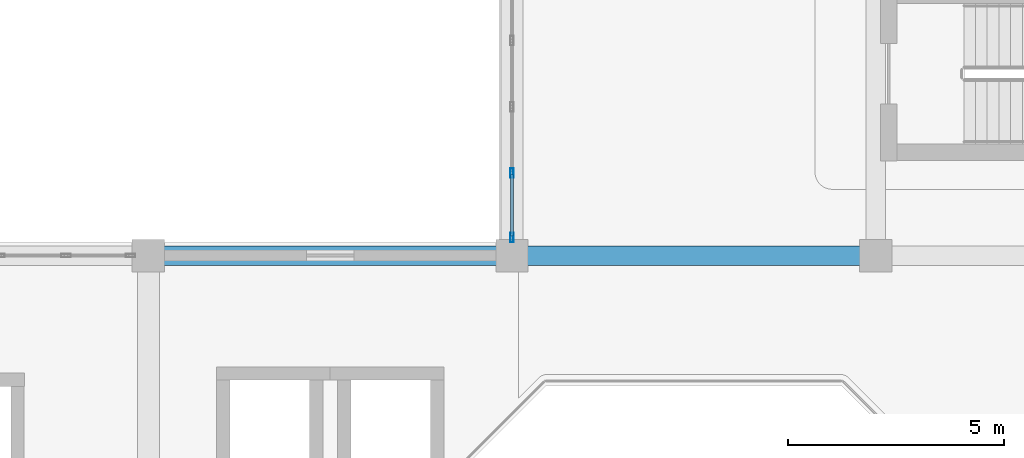
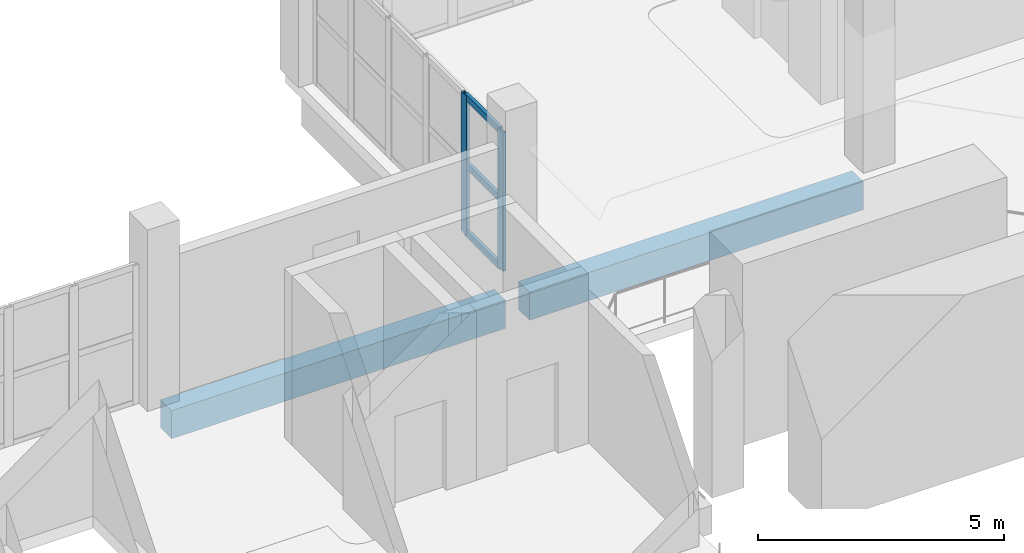
# One storey, part 53 of 114: 5 members, 2 beams, 1 element without a shape of its own.
"""IFC4 building model written with IfcOpenShell, lengths in metres."""

import ifcopenshell
import ifcopenshell.guid

model = None  # the IFC model being written
_history = None  # IfcOwnerHistory: only IFC2X3 demands one
_inside = {}  # id of a spatial element -> (the spatial element, [elements in it])
_under = {}  # id of a project, library or spatial element -> (it, [spatial elements below it])
_declared = {}  # id of a project -> (the project, [libraries it declares])
_typed = {}  # id of a type object -> (the type object, [elements of that type])
_made_of = {}  # id of a material, layer set ... -> (it, [elements and type objects made of it])


def new_model(schema):
    """Start an empty IFC model of exactly this schema.

    Asked for "IFC4X3", IfcOpenShell would pick the latest addendum, in which some entities
    have other attributes; the version numbers below select the first issue.
    IFC2X3 requires an IfcOwnerHistory on every rooted entity: one is made here for all.
    """
    global model, _history
    if schema == "IFC4X3":
        model = ifcopenshell.file(schema_version=(4, 3, 0, 0))
    else:
        model = ifcopenshell.file(schema=schema)
    _inside.clear()
    _under.clear()
    _declared.clear()
    _typed.clear()
    _made_of.clear()
    _history = None
    if model.schema == "IFC2X3":
        org = make("IfcOrganization", Name="unknown")
        user = make(
            "IfcPersonAndOrganization",
            ThePerson=make("IfcPerson", FamilyName="unknown"),
            TheOrganization=org,
        )
        app = make(
            "IfcApplication",
            ApplicationDeveloper=org,
            Version="unknown",
            ApplicationFullName="unknown",
            ApplicationIdentifier="unknown",
        )
        _history = make(
            "IfcOwnerHistory",
            OwningUser=user,
            OwningApplication=app,
            ChangeAction="ADDED",
            CreationDate=0,
        )
    return model


def make(cls, **values):
    """One entity of the class cls with the attributes given. An attribute that is None is left unset."""
    return model.create_entity(
        cls, **{name: value for name, value in values.items() if value is not None}
    )


def rooted(cls, **values):
    """An entity with a GlobalId (a new one), such as an element, a storey or a relation."""
    return make(cls, GlobalId=ifcopenshell.guid.new(), OwnerHistory=_history, **values)


def si_unit(unit_type, name, prefix=None):
    """IfcSIUnit, for example si_unit("LENGTHUNIT", "METRE", prefix="MILLI")."""
    return make("IfcSIUnit", UnitType=unit_type, Prefix=prefix, Name=name)


def assignment(units):
    """IfcUnitAssignment: the units of a project."""
    return None if units is None else make("IfcUnitAssignment", Units=units)


def point(xyz):
    """IfcCartesianPoint."""
    return None if xyz is None else make("IfcCartesianPoint", Coordinates=xyz)


def direction(xyz):
    """IfcDirection."""
    return None if xyz is None else make("IfcDirection", DirectionRatios=xyz)


def frame(location, z_axis=None, x_axis=None):
    """IfcAxis2Placement3D, a coordinate frame: its origin and axes. An axis left out is left unset."""
    return make(
        "IfcAxis2Placement3D",
        Location=point(location),
        Axis=direction(z_axis),
        RefDirection=direction(x_axis),
    )


def frame_2d(location, x_axis=None):
    """IfcAxis2Placement2D, a coordinate frame in the plane: its origin and x axis."""
    return make(
        "IfcAxis2Placement2D", Location=point(location), RefDirection=direction(x_axis)
    )


def origin():
    """The frame at (0, 0, 0) with its axes left unset."""
    return frame((0.0, 0.0, 0.0))


def origin_2d():
    """The frame at (0, 0) in the plane with its x axis left unset."""
    return frame_2d((0.0, 0.0))


def place(relative_to, where):
    """IfcLocalPlacement: puts the frame where relative to a parent placement (None: the world)."""
    return make(
        "IfcLocalPlacement", PlacementRelTo=relative_to, RelativePlacement=where
    )


def context(
    kind, dimensions, precision=None, world=None, true_north=None, identifier=None
):
    """IfcGeometricRepresentationContext, for example the 3D "Model" context."""
    return make(
        "IfcGeometricRepresentationContext",
        ContextIdentifier=identifier,
        ContextType=kind,
        CoordinateSpaceDimension=dimensions,
        Precision=precision,
        WorldCoordinateSystem=world,
        TrueNorth=true_north,
    )


def subcontext(parent, identifier, kind, view, scale=None):
    """IfcGeometricRepresentationSubContext, for example "Body" below "Model"."""
    return make(
        "IfcGeometricRepresentationSubContext",
        ContextIdentifier=identifier,
        ContextType=kind,
        ParentContext=parent,
        TargetScale=scale,
        TargetView=view,
    )


def project(units=None, contexts=None):
    """IfcProject with its units and contexts."""
    return rooted(
        "IfcProject",
        Name="project",
        RepresentationContexts=contexts,
        UnitsInContext=assignment(units),
    )


def spatial(cls, under=None, at=None, **own):
    """A site, building, storey or space (cls), placed at a placement, below another one or the project."""
    s = rooted(cls, ObjectPlacement=at, **own)
    if under is not None:
        _under.setdefault(under.id(), (under, []))[1].append(s)
    return s


def profile(cls, at=None, kind="AREA", **sizes):
    """A parametric profile (cls). Its sizes go by their IFC names, for example OverallWidth=200.0."""
    return make(cls, ProfileType=kind, Position=at, **sizes)


def rectangle(**sizes):
    """IfcRectangleProfileDef."""
    return profile("IfcRectangleProfileDef", **sizes)


def hollow_rectangle(**sizes):
    """IfcRectangleHollowProfileDef."""
    return profile("IfcRectangleHollowProfileDef", **sizes)


def extrude(swept, where, along, depth):
    """IfcExtrudedAreaSolid: the profile swept, set in the frame where, extruded along a direction by depth."""
    return make(
        "IfcExtrudedAreaSolid",
        SweptArea=swept,
        Position=where,
        ExtrudedDirection=direction(along),
        Depth=depth,
    )


def shape(context_of_items, identifier, shape_type, items):
    """IfcShapeRepresentation: the items that make up one representation, for example the "Body"."""
    return make(
        "IfcShapeRepresentation",
        ContextOfItems=context_of_items,
        RepresentationIdentifier=identifier,
        RepresentationType=shape_type,
        Items=items,
    )


def material(Name=None, Category=None):
    """IfcMaterial."""
    return make("IfcMaterial", Name=Name, Category=Category)


def layer(
    of_material, thickness, ventilated=None, Name=None, Category=None, Priority=None
):
    """IfcMaterialLayer: one layer of a wall or slab, of a material (None: an air gap)."""
    return make(
        "IfcMaterialLayer",
        Material=of_material,
        LayerThickness=thickness,
        IsVentilated=ventilated,
        Name=Name,
        Category=Category,
        Priority=Priority,
    )


def layer_set(layers, Name=None):
    """IfcMaterialLayerSet."""
    return make("IfcMaterialLayerSet", MaterialLayers=layers, LayerSetName=Name)


def material_profile(
    of_material, cross_section, Name=None, Category=None, Priority=None
):
    """IfcMaterialProfile: a cross section and its material."""
    return make(
        "IfcMaterialProfile",
        Name=Name,
        Material=of_material,
        Profile=cross_section,
        Priority=Priority,
        Category=Category,
    )


def profile_set(profiles, Name=None, composite=None):
    """IfcMaterialProfileSet."""
    return make(
        "IfcMaterialProfileSet",
        Name=Name,
        MaterialProfiles=profiles,
        CompositeProfile=composite,
    )


def made_of(thing, what):
    """Note that an element or type object is made of a material, layer set ...; save() writes the relation."""
    if what is not None:
        _made_of.setdefault(what.id(), (what, []))[1].append(thing)
    return thing


def type_object(cls, material=None, **own):
    """A type object (cls), such as IfcWallType, which elements share."""
    return made_of(rooted(cls, **own), material)


def element(
    cls,
    number,
    at=None,
    inside=None,
    cuts=None,
    type_object=None,
    material=None,
    context=None,
    identifier="Body",
    shape_type=None,
    held_by="IfcProductDefinitionShape",
    body=None,
    shapes=None,
    **own,
):
    """One element of the class cls, such as IfcWall. Its Tag is "e" and its number.

    at: its placement. inside: the storey or other place that contains it. cuts: it is an
    opening in that element (IfcRelVoidsElement). A single representation is given by context,
    identifier, shape_type and body (its items); several are given by shapes. held_by: the class
    of the entity that holds the representations. save() writes the other relations.
    """
    e = rooted(cls, Tag="e%d" % number, ObjectPlacement=at, **own)
    if body is not None:
        shapes = [shape(context, identifier, shape_type, body)]
    if shapes is not None:
        e.Representation = make(held_by, Representations=shapes)
    if inside is not None:
        _inside.setdefault(inside.id(), (inside, []))[1].append(e)
    if cuts is not None:
        rooted(
            "IfcRelVoidsElement", RelatingBuildingElement=cuts, RelatedOpeningElement=e
        )
    if type_object is not None:
        _typed.setdefault(type_object.id(), (type_object, []))[1].append(e)
    return made_of(e, material)


def aggregate(whole, parts):
    """IfcRelAggregates: a whole, such as a stair, and the parts it consists of."""
    return rooted("IfcRelAggregates", RelatingObject=whole, RelatedObjects=parts)


def save(model, path):
    """Write the relations noted so far, then the file.

    IfcRelAggregates (storeys below a building ...), IfcRelContainedInSpatialStructure (elements
    in a storey), IfcRelDefinesByType, IfcRelAssociatesMaterial and IfcRelDeclares: one each for
    every whole, place, type object, material and project.
    """
    for whole, parts in _under.values():
        aggregate(whole, parts)
    for where, things in _inside.values():
        rooted(
            "IfcRelContainedInSpatialStructure",
            RelatedElements=things,
            RelatingStructure=where,
        )
    for kind, things in _typed.values():
        rooted("IfcRelDefinesByType", RelatedObjects=things, RelatingType=kind)
    for what, things in _made_of.values():
        rooted("IfcRelAssociatesMaterial", RelatedObjects=things, RelatingMaterial=what)
    for by, libraries in _declared.values():
        rooted("IfcRelDeclares", RelatingContext=by, RelatedDefinitions=libraries)
    model.write(path)


model = new_model("IFC4")

# Units and contexts
model_context = context("Model", 3, precision=1e-05, world=origin(), true_north=direction((0.0, 1.0)))
body_context = subcontext(model_context, "Body", "Model", "MODEL_VIEW")
ifc_project = project(units=[si_unit("LENGTHUNIT", "METRE"), si_unit("AREAUNIT", "SQUARE_METRE"), si_unit("VOLUMEUNIT", "CUBIC_METRE"), si_unit("PLANEANGLEUNIT", "RADIAN"), si_unit("MASSUNIT", "GRAM", prefix="KILO")], contexts=[model_context])

# Site, building, storey
site_placement = place(None, origin())
site = spatial("IfcSite", under=ifc_project, at=site_placement, CompositionType="ELEMENT")
building_placement = place(site_placement, origin())
building = spatial("IfcBuilding", under=site, at=building_placement, Name="Xazarin Passage Department Store", CompositionType="ELEMENT")
storey_placement = place(building_placement, frame((0.0, 0.0, 14.39990234375)))
storey = spatial("IfcBuildingStorey", under=building, at=storey_placement, Name="L03", CompositionType="ELEMENT", Elevation=14.39990234375)

# Curtain wall, members
ifc_material_1 = material(Name="Bronze anodised aluminium", Category="aluminium")
ifc_layer = layer(ifc_material_1, 0.199951171875)
ifc_layer_set = layer_set([ifc_layer], Name="Bronze anodised aluminium")
curtain_wall_type = type_object("IfcCurtainWallType", Name="ARC-CW-VIT2", PredefinedType="NOTDEFINED", material=ifc_layer_set)
curtain_wall_placement = place(storey_placement, origin())
curtain_wall = element("IfcCurtainWall", 1, at=curtain_wall_placement, inside=storey, type_object=curtain_wall_type, Name="L03 V1 Curtain Wall 065", PredefinedType="NOTDEFINED")
ifc_material_profile_1 = material_profile(ifc_material_1, hollow_rectangle(XDim=0.074951171875, YDim=0.219970703125, WallThickness=0.0048828125, at=origin_2d()), Name="ALU 75x220")
ifc_profile_set_1 = profile_set([ifc_material_profile_1], Name="Bronze anodised aluminium")
member_type_1 = type_object("IfcMemberType", Name="ARC-CWM-75x220", PredefinedType="MULLION", material=ifc_profile_set_1)
member_1_placement = place(storey_placement, frame((16.800048828125, 102.012451171875, 0.0), z_axis=(0.0, 0.0, 1.0), x_axis=(-1.0, 0.0, 0.0)))
member_1 = element("IfcMember", 2, at=member_1_placement, type_object=member_type_1, Name="CW2 mullion 1", PredefinedType="MULLION", context=body_context, shape_type="SweptSolid", body=[
    extrude(hollow_rectangle(XDim=0.074951171875, YDim=0.219970703125, WallThickness=0.0048828125, at=origin_2d()), origin(), (0.0, 0.0, 1.0), 3.4501953125),
])
member_2_placement = place(storey_placement, frame((16.800048828125, 103.5048828125, 0.0), z_axis=(0.0, 0.0, 1.0), x_axis=(-1.0, 0.0, 0.0)))
member_2 = element("IfcMember", 3, at=member_2_placement, type_object=member_type_1, Name="CW2 mullion 2", PredefinedType="MULLION", context=body_context, shape_type="SweptSolid", body=[
    extrude(hollow_rectangle(XDim=0.074951171875, YDim=0.219970703125, WallThickness=0.0048828125, at=origin_2d()), origin(), (0.0, 0.0, 1.0), 3.4501953125),
])
ifc_material_profile_2 = material_profile(ifc_material_1, hollow_rectangle(XDim=0.074951171875, YDim=0.159912109375, WallThickness=0.00439453125, at=origin_2d()), Name="ALU 75x160")
ifc_profile_set_2 = profile_set([ifc_material_profile_2], Name="Bronze anodised aluminium")
member_type_2 = type_object("IfcMemberType", Name="ARC-CWT-75x160", PredefinedType="USERDEFINED", material=ifc_profile_set_2)
member_3_placement = place(storey_placement, frame((16.800048828125, 102.050048828125, 0.03759765625), z_axis=(0.0, 1.0, 0.0), x_axis=(-1.0, 0.0, 0.0)))
member_3 = element("IfcMember", 4, at=member_3_placement, type_object=member_type_2, Name="CW2 transom 1.1", ObjectType="TRANSOM", PredefinedType="USERDEFINED", context=body_context, shape_type="SweptSolid", body=[
    extrude(hollow_rectangle(XDim=0.074951171875, YDim=0.159912109375, WallThickness=0.00439453125, at=origin_2d()), origin(), (0.0, 0.0, 1.0), 1.41748046875),
])
member_4_placement = place(storey_placement, frame((16.800048828125, 102.050048828125, 1.72509765625), z_axis=(0.0, 1.0, 0.0), x_axis=(-1.0, 0.0, 0.0)))
member_4 = element("IfcMember", 5, at=member_4_placement, type_object=member_type_2, Name="CW2 transom 1.2", ObjectType="TRANSOM", PredefinedType="USERDEFINED", context=body_context, shape_type="SweptSolid", body=[
    extrude(hollow_rectangle(XDim=0.074951171875, YDim=0.159912109375, WallThickness=0.00439453125, at=origin_2d()), origin(), (0.0, 0.0, 1.0), 1.41748046875),
])
member_5_placement = place(storey_placement, frame((16.800048828125, 102.050048828125, 3.41259765625), z_axis=(0.0, 1.0, 0.0), x_axis=(-1.0, 0.0, 0.0)))
member_5 = element("IfcMember", 6, at=member_5_placement, type_object=member_type_2, Name="CW2 transom 1.3", ObjectType="TRANSOM", PredefinedType="USERDEFINED", context=body_context, shape_type="SweptSolid", body=[
    extrude(hollow_rectangle(XDim=0.074951171875, YDim=0.159912109375, WallThickness=0.00439453125, at=origin_2d()), origin(), (0.0, 0.0, 1.0), 1.41748046875),
])
aggregate(curtain_wall, [member_1, member_2, member_3, member_4, member_5])

# Beams
ifc_material_2 = material(Name="Concrete C35/45", Category="concrete")
ifc_material_profile_3 = material_profile(ifc_material_2, rectangle(XDim=0.449951171875, YDim=0.699951171875, at=origin_2d()), Name="RC 450x700")
ifc_profile_set_3 = profile_set([ifc_material_profile_3], Name="Concrete C35/45")
beam_type = type_object("IfcBeamType", Name="STR-BM-G450x700", PredefinedType="BEAM", material=ifc_profile_set_3)
beam_1_placement = place(storey_placement, frame((8.679931640625, 101.60009765625, -0.64990234375), z_axis=(1.0, 0.0, 0.0), x_axis=(0.0, 1.0, 0.0)))
element("IfcBeam", 7, at=beam_1_placement, inside=storey, type_object=beam_type, Name="L03 Grid Beam P/2-3", PredefinedType="BEAM", context=body_context, shape_type="SweptSolid", body=[
    extrude(rectangle(XDim=0.449951171875, YDim=0.699951171875, at=origin_2d()), origin(), (0.0, 0.0, 1.0), 7.840087890625),
])
beam_2_placement = place(storey_placement, frame((17.080078125, 101.60009765625, -0.64990234375), z_axis=(1.0, 0.0, 0.0), x_axis=(0.0, 1.0, 0.0)))
element("IfcBeam", 8, at=beam_2_placement, inside=storey, type_object=beam_type, Name="L03 Grid Beam P/3-4", PredefinedType="BEAM", context=body_context, shape_type="SweptSolid", body=[
    extrude(rectangle(XDim=0.449951171875, YDim=0.699951171875, at=origin_2d()), origin(), (0.0, 0.0, 1.0), 7.83984375),
])

save(model, "model.ifc")
